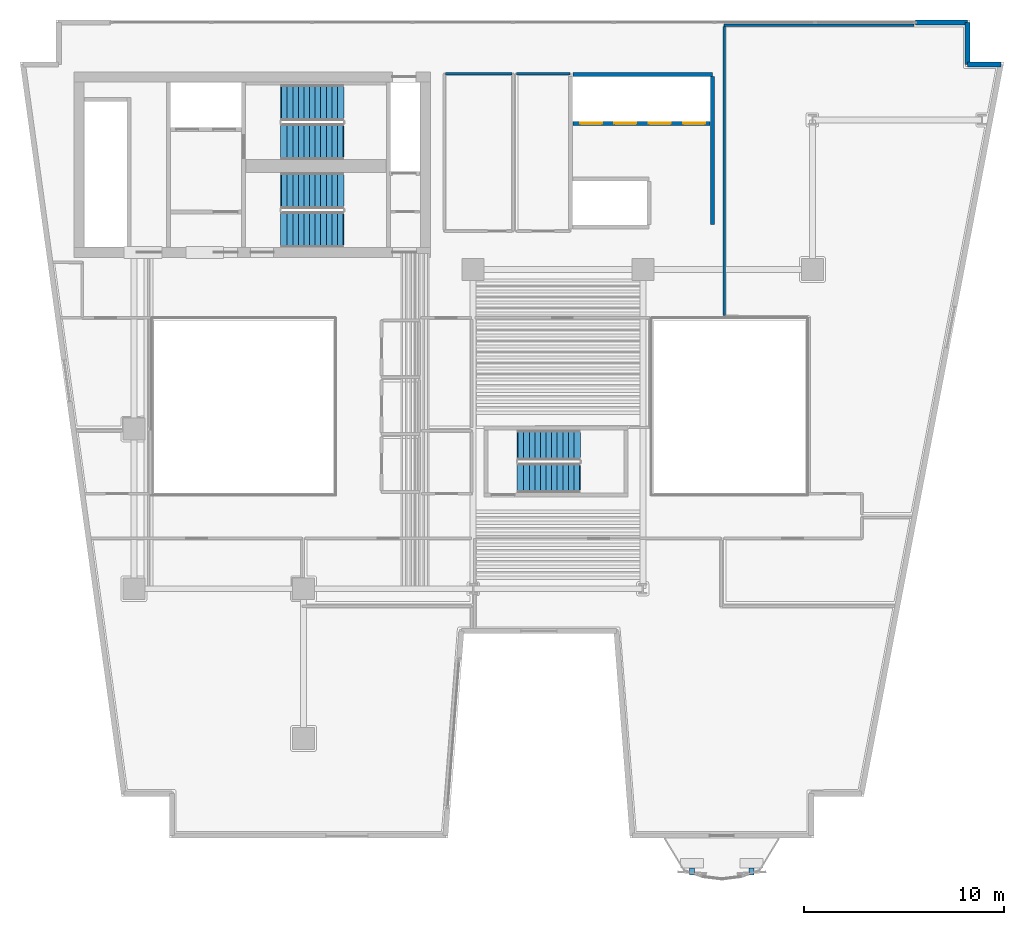
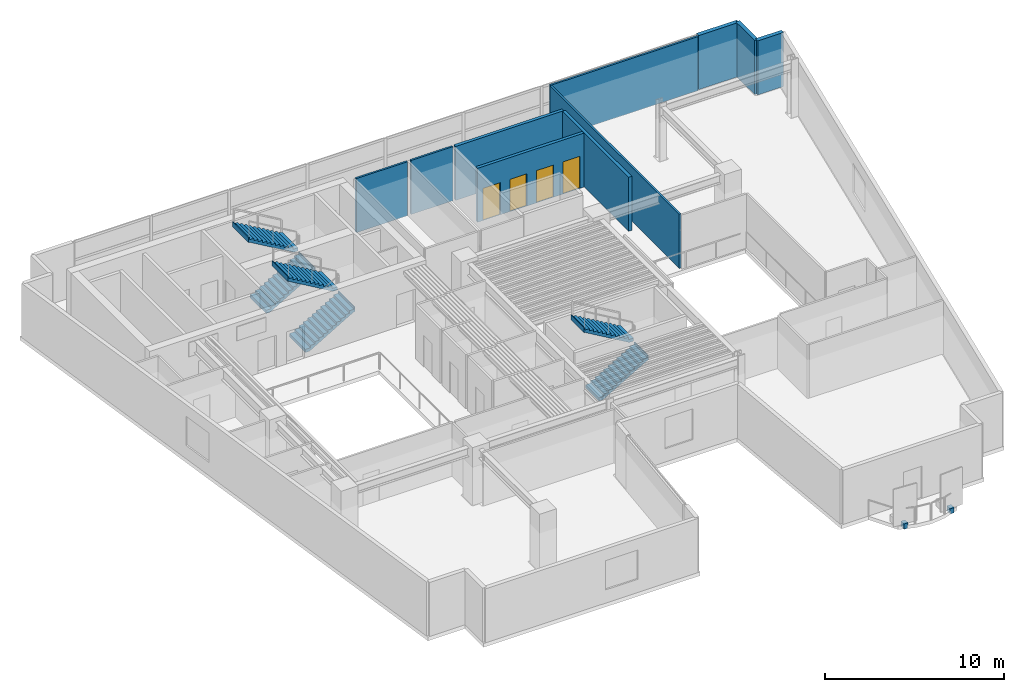
# One storey, part 8 of 12: 10 walls, 6 stair flights, 4 doors, 2 discrete accessories, 4 openings, 3 elements without a shape of their own.
"""IFC4 building model written with IfcOpenShell, lengths in metres."""

from ifc_helpers import new_model, si_unit, direction, frame, frame_2d, origin, origin_2d, place, context, subcontext, project, spatial, polyline, rectangle, outline, extrude, material, layer, layer_set, type_object, element, fill, aggregate, save


model = new_model("IFC4")

# Units and contexts
model_context = context("Model", 3, precision=1e-05, world=origin(), true_north=direction((0.0, 1.0)))
body_context = subcontext(model_context, "Body", "Model", "MODEL_VIEW")
ifc_project = project(units=[si_unit("LENGTHUNIT", "METRE"), si_unit("AREAUNIT", "SQUARE_METRE"), si_unit("VOLUMEUNIT", "CUBIC_METRE"), si_unit("PLANEANGLEUNIT", "RADIAN"), si_unit("MASSUNIT", "GRAM", prefix="KILO")], contexts=[model_context])

# Site, building, storey
site_placement = place(None, origin())
site = spatial("IfcSite", under=ifc_project, at=site_placement, CompositionType="ELEMENT")
building_placement = place(site_placement, origin())
building = spatial("IfcBuilding", under=site, at=building_placement, Name="Caeloran Harvest Quay", CompositionType="ELEMENT")
storey_placement = place(building_placement, frame((0.0, 0.0, 115.35009765625)))
storey = spatial("IfcBuildingStorey", under=building, at=storey_placement, Name="L26", CompositionType="ELEMENT", Elevation=115.35009765625)

# Walls
ifc_material_1 = material(Name="Precast concrete C50/60", Category="concrete")
ifc_layer_1 = layer(ifc_material_1, 0.260009765625, Name="Precast concrete C50/60")
ifc_layer_set_1 = layer_set([ifc_layer_1], Name="Precast concrete C50/60")
wall_type_1 = type_object("IfcWallType", Name="ENV-WALL-EW-260", PredefinedType="STANDARD", material=ifc_layer_set_1)
wall_1_placement = place(storey_placement, frame((47.669921875, 43.3701171875, 0.0), z_axis=(0.0, 0.0, 1.0), x_axis=(1.0, 0.0, 0.0)))
element("IfcWall", 1, at=wall_1_placement, inside=storey, type_object=wall_type_1, Name="L26 Exterior Facade Corner Pier Wall 6B", PredefinedType="STANDARD", context=body_context, shape_type="SweptSolid", body=[
    extrude(rectangle(XDim=2.60009765625, YDim=0.260009765625, at=frame_2d((1.300048828125, 0.0))), origin(), (0.0, 0.0, 1.0), 3.68994140625),
])
wall_2_placement = place(storey_placement, frame((50.27001953125, 43.3701171875, 0.0), z_axis=(0.0, 0.0, 1.0), x_axis=(0.0, -1.0, 0.0)))
element("IfcWall", 2, at=wall_2_placement, inside=storey, type_object=wall_type_1, Name="L26 Exterior Precast Concrete Facade Wall 7", PredefinedType="STANDARD", context=body_context, shape_type="SweptSolid", body=[
    extrude(rectangle(XDim=2.10009765625, YDim=0.260009765625, at=frame_2d((1.050048828125, 0.0))), origin(), (0.0, 0.0, 1.0), 3.68994140625),
])
wall_3_placement = place(storey_placement, frame((50.27001953125, 41.27001953125, 0.0), z_axis=(0.0, 0.0, 1.0), x_axis=(1.0, 0.0, 0.0)))
element("IfcWall", 3, at=wall_3_placement, inside=storey, type_object=wall_type_1, Name="L26 Exterior Precast Concrete Facade Wall 8", PredefinedType="STANDARD", context=body_context, shape_type="SweptSolid", body=[
    extrude(rectangle(XDim=1.671875, YDim=0.260009765625, at=frame_2d((0.8359375, 0.0))), origin(), (0.0, 0.0, 1.0), 3.68994140625),
])
ifc_material_2 = material(Name="Twin-Stud Mineral-Wool Acoustic Gypsum Partition", Category="gypsum")
ifc_layer_2 = layer(ifc_material_2, 0.125, Name="Twin-Stud Mineral-Wool Acoustic Gypsum Partition")
ifc_layer_set_2 = layer_set([ifc_layer_2], Name="Twin-Stud Mineral-Wool Acoustic Gypsum Partition")
wall_type_2 = type_object("IfcWallType", Name="INT-WALL-PW-125", PredefinedType="PARTITIONING", material=ifc_layer_set_2)
wall_4_placement = place(storey_placement, frame((24.117431640625, 40.800048828125, 0.0), z_axis=(0.0, 0.0, 1.0), x_axis=(1.0, 0.0, 0.0)))
element("IfcWall", 4, at=wall_4_placement, inside=storey, type_object=wall_type_2, Name="L26 Bioinformatics Briefing Lounge Partition Wall", PredefinedType="PARTITIONING", context=body_context, shape_type="SweptSolid", body=[
    extrude(rectangle(XDim=3.315185546875, YDim=0.125, at=frame_2d((1.65771484375, 0.0))), origin(), (0.0, 0.0, 1.0), 3.68994140625),
])
wall_5_placement = place(storey_placement, frame((27.659912109375, 40.800048828125, 0.0), z_axis=(0.0, 0.0, 1.0), x_axis=(1.0, 0.0, 0.0)))
element("IfcWall", 5, at=wall_5_placement, inside=storey, type_object=wall_type_2, Name="L26 Seed Imaging Laboratory Partition Wall", PredefinedType="PARTITIONING", context=body_context, shape_type="SweptSolid", body=[
    extrude(rectangle(XDim=2.690185546875, YDim=0.125, at=frame_2d((1.34521484375, 0.0))), origin(), (0.0, 0.0, 1.0), 3.68994140625),
])
wall_6_placement = place(storey_placement, frame((38.080078125, 43.239990234375, 0.0), z_axis=(0.0, 0.0, 1.0), x_axis=(1.0, 0.0, 0.0)))
element("IfcWall", 6, at=wall_6_placement, inside=storey, type_object=wall_type_2, Name="Phenotyping Sensor Laboratory 10 Partition Wall", PredefinedType="PARTITIONING", context=body_context, shape_type="SweptSolid", body=[
    extrude(rectangle(XDim=9.515380859375, YDim=0.125, at=frame_2d((4.7578125, 0.0))), origin(), (0.0, 0.0, 1.0), 3.68994140625),
])
wall_7_placement = place(storey_placement, frame((38.080078125, 28.697509765625, 0.0), z_axis=(0.0, 0.0, 1.0), x_axis=(0.0, 1.0, 0.0)))
element("IfcWall", 7, at=wall_7_placement, inside=storey, type_object=wall_type_2, Name="Phenotyping Sensor Laboratory 10 Partition Wall", PredefinedType="PARTITIONING", context=body_context, shape_type="SweptSolid", body=[
    extrude(rectangle(XDim=14.47509765625, YDim=0.125, at=frame_2d((7.237548828125, 0.0))), origin(), (0.0, 0.0, 1.0), 3.68994140625),
])
ifc_material_3 = material(Name="Concrete C50/60", Category="concrete")
ifc_layer_3 = layer(ifc_material_3, 0.199951171875, Name="Concrete C50/60")
ifc_layer_set_3 = layer_set([ifc_layer_3], Name="Concrete C50/60")
wall_type_3 = type_object("IfcWallType", Name="INT-WALL-SW-200", PredefinedType="PARTITIONING", material=ifc_layer_set_3)
wall_8_placement = place(storey_placement, frame((30.5, 40.780029296875, 0.0), z_axis=(0.0, 0.0, 1.0), x_axis=(1.0, 0.0, 0.0)))
element("IfcWall", 8, at=wall_8_placement, inside=storey, type_object=wall_type_3, Name="L26 Bank 2 Lift Shaft North Wall", PredefinedType="PARTITIONING", context=body_context, shape_type="SweptSolid", body=[
    extrude(rectangle(XDim=6.97998046875, YDim=0.199951171875, at=frame_2d((3.489990234375, 0.0))), origin(), (0.0, 0.0, 1.0), 3.68994140625),
])
wall_9_placement = place(storey_placement, frame((37.47998046875, 33.239990234375, 0.0), z_axis=(0.0, 0.0, 1.0), x_axis=(0.0, 1.0, 0.0)))
element("IfcWall", 9, at=wall_9_placement, inside=storey, type_object=wall_type_3, Name="L26 Bank 2 Lift Shaft East Wall", PredefinedType="PARTITIONING", context=body_context, shape_type="SweptSolid", body=[
    extrude(rectangle(XDim=7.419921875, YDim=0.199951171875, at=frame_2d((3.7099609375, 0.0))), origin(), (0.0, 0.0, 1.0), 3.68994140625),
])

# Wall, openings, doors
wall_10_placement = place(storey_placement, frame((30.5, 38.320068359375, 0.0), z_axis=(0.0, 0.0, 1.0), x_axis=(1.0, 0.0, 0.0)))
wall_10 = element("IfcWall", 10, at=wall_10_placement, inside=storey, type_object=wall_type_3, Name="L26 Bank 2 Lift Landing Front Wall", PredefinedType="PARTITIONING", context=body_context, shape_type="SweptSolid", body=[
    extrude(rectangle(XDim=6.860107421875, YDim=0.199951171875, at=frame_2d((3.43017578125, 0.0))), origin(), (0.0, 0.0, 1.0), 3.68994140625),
])
opening_1_placement = place(wall_10_placement, frame((0.360107421875, 0.0, 0.0)))
opening_1 = element("IfcOpeningElement", 11, at=opening_1_placement, cuts=wall_10, Name="Opening LD-01", PredefinedType="OPENING", context=body_context, shape_type="SweptSolid", body=[
    extrude(rectangle(XDim=1.10009765625, YDim=2.199951171875, at=frame_2d((0.550048828125, 1.10009765625))), frame((0.0, 0.10986328125, 0.0), z_axis=(0.0, -1.0, 0.0), x_axis=(1.0, 0.0, 0.0)), (0.0, 0.0, 1.0), 0.219970703125),
])
opening_2_placement = place(wall_10_placement, frame((2.080078125, 0.0, 0.0)))
opening_2 = element("IfcOpeningElement", 12, at=opening_2_placement, cuts=wall_10, Name="Opening LD-01", PredefinedType="OPENING", context=body_context, shape_type="SweptSolid", body=[
    extrude(rectangle(XDim=1.10009765625, YDim=2.199951171875, at=frame_2d((0.550048828125, 1.10009765625))), frame((0.0, 0.10986328125, 0.0), z_axis=(0.0, -1.0, 0.0), x_axis=(1.0, 0.0, 0.0)), (0.0, 0.0, 1.0), 0.219970703125),
])
opening_3_placement = place(wall_10_placement, frame((3.800048828125, 0.0, 0.0)))
opening_3 = element("IfcOpeningElement", 13, at=opening_3_placement, cuts=wall_10, Name="Opening LD-01", PredefinedType="OPENING", context=body_context, shape_type="SweptSolid", body=[
    extrude(rectangle(XDim=1.10009765625, YDim=2.199951171875, at=frame_2d((0.550048828125, 1.10009765625))), frame((0.0, 0.10986328125, 0.0), z_axis=(0.0, -1.0, 0.0), x_axis=(1.0, 0.0, 0.0)), (0.0, 0.0, 1.0), 0.219970703125),
])
opening_4_placement = place(wall_10_placement, frame((5.52001953125, 0.0, 0.0)))
opening_4 = element("IfcOpeningElement", 14, at=opening_4_placement, cuts=wall_10, Name="Opening LD-01", PredefinedType="OPENING", context=body_context, shape_type="SweptSolid", body=[
    extrude(rectangle(XDim=1.10009765625, YDim=2.199951171875, at=frame_2d((0.550048828125, 1.10009765625))), frame((0.0, 0.10986328125, 0.0), z_axis=(0.0, -1.0, 0.0), x_axis=(1.0, 0.0, 0.0)), (0.0, 0.0, 1.0), 0.219970703125),
])
ifc_material_4 = material(Name="Stainless Steel Grade 316", Category="steel")
door_type = type_object("IfcDoorType", Name="INTDOOR-LD-01", OperationType="NOTDEFINED", PredefinedType="DOOR", material=ifc_material_4)
door_1_placement = place(opening_1_placement, origin())
door_1 = element("IfcDoor", 15, at=door_1_placement, inside=storey, type_object=door_type, Name="Lift P2-1 Sliding Landing Door (L26)", OperationType="DOUBLE_DOOR_SLIDING", OverallHeight=2.199951171875, OverallWidth=1.10009765625, PredefinedType="DOOR", context=body_context, shape_type="SweptSolid", body=[
    extrude(rectangle(XDim=1.10009765625, YDim=2.199951171875, at=frame_2d((0.550048828125, 1.10009765625))), frame((0.0, 0.02490234375, 0.0), z_axis=(0.0, -1.0, 0.0), x_axis=(1.0, 0.0, 0.0)), (0.0, 0.0, 1.0), 0.050048828125),
])
fill(opening_1, door_1)
door_2_placement = place(opening_2_placement, origin())
door_2 = element("IfcDoor", 16, at=door_2_placement, inside=storey, type_object=door_type, Name="Lift P2-2 Sliding Landing Door (L26)", OperationType="DOUBLE_DOOR_SLIDING", OverallHeight=2.199951171875, OverallWidth=1.10009765625, PredefinedType="DOOR", context=body_context, shape_type="SweptSolid", body=[
    extrude(rectangle(XDim=1.10009765625, YDim=2.199951171875, at=frame_2d((0.550048828125, 1.10009765625))), frame((0.0, 0.02490234375, 0.0), z_axis=(0.0, -1.0, 0.0), x_axis=(1.0, 0.0, 0.0)), (0.0, 0.0, 1.0), 0.050048828125),
])
fill(opening_2, door_2)
door_3_placement = place(opening_3_placement, origin())
door_3 = element("IfcDoor", 17, at=door_3_placement, inside=storey, type_object=door_type, Name="Lift P2-3 Sliding Landing Door (L26)", OperationType="DOUBLE_DOOR_SLIDING", OverallHeight=2.199951171875, OverallWidth=1.10009765625, PredefinedType="DOOR", context=body_context, shape_type="SweptSolid", body=[
    extrude(rectangle(XDim=1.10009765625, YDim=2.199951171875, at=frame_2d((0.550048828125, 1.10009765625))), frame((0.0, 0.02490234375, 0.0), z_axis=(0.0, -1.0, 0.0), x_axis=(1.0, 0.0, 0.0)), (0.0, 0.0, 1.0), 0.050048828125),
])
fill(opening_3, door_3)
door_4_placement = place(opening_4_placement, origin())
door_4 = element("IfcDoor", 18, at=door_4_placement, inside=storey, type_object=door_type, Name="Lift P2-4 Sliding Landing Door (L26)", OperationType="DOUBLE_DOOR_SLIDING", OverallHeight=2.199951171875, OverallWidth=1.10009765625, PredefinedType="DOOR", context=body_context, shape_type="SweptSolid", body=[
    extrude(rectangle(XDim=1.10009765625, YDim=2.199951171875, at=frame_2d((0.550048828125, 1.10009765625))), frame((0.0, 0.02490234375, 0.0), z_axis=(0.0, -1.0, 0.0), x_axis=(1.0, 0.0, 0.0)), (0.0, 0.0, 1.0), 0.050048828125),
])
fill(opening_4, door_4)

# Stair, stair flights
stair_type_1 = type_object("IfcStairType", Name="STAIR-STC-180", PredefinedType="HALF_TURN_STAIR", material=ifc_material_3)
stair_1_placement = place(storey_placement, origin())
stair_1 = element("IfcStair", 19, at=stair_1_placement, inside=storey, type_object=stair_type_1, Name="L26 Core Pressurized Exit Stair ST-C1", PredefinedType="HALF_TURN_STAIR")
stair_flight_type_1 = type_object("IfcStairFlightType", Name="FLIGHT-STC-180", PredefinedType="STRAIGHT", material=ifc_material_3)
stair_flight_1_placement = place(storey_placement, frame((15.89990234375, 37.39990234375, 0.0), z_axis=(0.0, 0.0, 1.0), x_axis=(1.0, 0.0, 0.0)))
stair_flight_1 = element("IfcStairFlight", 20, at=stair_flight_1_placement, type_object=stair_flight_type_1, Name="ST-C1 flight 1", NumberOfRisers=12, NumberOfTreads=11, PredefinedType="STRAIGHT", RiserHeight=0.164583333, TreadLength=0.28, context=body_context, shape_type="SweptSolid", body=[
    extrude(outline(polyline([(-0.054931640625, -0.044921875), (-0.054931640625, -0.031982421875), (-0.054931640625, -0.018798828125), (-0.054931640625, -0.005615234375), (-0.054931640625, 0.00732421875), (-0.054931640625, 0.0205078125), (-0.054931640625, 0.03369140625), (-0.054931640625, 0.046630859375), (-0.054931640625, 0.059814453125), (-0.054931640625, 0.072998046875), (-0.054931640625, 0.0859375), (-0.054931640625, 0.09912109375), (-0.054931640625, 0.1123046875), (-0.054931640625, 0.125244140625), (-0.054931640625, 0.138427734375), (-0.054931640625, 0.1513671875), (-0.054931640625, 0.16455078125), (0.280029296875, 0.16455078125), (0.280029296875, 0.3291015625), (0.56005859375, 0.3291015625), (0.56005859375, 0.49365234375), (0.840087890625, 0.49365234375), (0.840087890625, 0.658447265625), (1.1201171875, 0.658447265625), (1.1201171875, 0.822998046875), (1.39990234375, 0.822998046875), (1.39990234375, 0.987548828125), (1.679931640625, 0.987548828125), (1.679931640625, 1.152099609375), (1.9599609375, 1.152099609375), (1.9599609375, 1.316650390625), (2.239990234375, 1.316650390625), (2.239990234375, 1.481201171875), (2.52001953125, 1.481201171875), (2.52001953125, 1.645751953125), (2.800048828125, 1.645751953125), (2.800048828125, 1.810302734375), (3.080078125, 1.810302734375), (3.080078125, 1.97509765625), (3.135009765625, 1.97509765625), (3.135009765625, 1.953857421875), (3.135009765625, 1.9326171875), (3.135009765625, 1.91162109375), (3.135009765625, 1.890380859375), (3.135009765625, 1.869140625), (3.135009765625, 1.84814453125), (3.135009765625, 1.826904296875), (3.135009765625, 1.8056640625), (3.135009765625, 1.78466796875), (3.135009765625, 1.763427734375), (3.135009765625, 1.7421875), (3.135009765625, 1.72119140625), (3.135009765625, 1.699951171875), (3.135009765625, 1.678955078125), (3.135009765625, 1.65771484375), (3.135009765625, 1.636474609375), (3.080078125, 1.636474609375), (0.21923828125, -0.044921875), (-0.054931640625, -0.044921875)])), frame((0.0, 0.89990234375, 0.0), z_axis=(0.0, -1.0, 0.0), x_axis=(1.0, 0.0, 0.0)), (0.0, 0.0, 1.0), 1.800048828125),
])
stair_flight_2_placement = place(storey_placement, frame((18.97998046875, 39.35009765625, 1.974853515625), z_axis=(0.0, 0.0, 1.0), x_axis=(-1.0, 0.0, 0.0)))
stair_flight_2 = element("IfcStairFlight", 21, at=stair_flight_2_placement, type_object=stair_flight_type_1, Name="ST-C1 flight 2", NumberOfRisers=12, NumberOfTreads=11, PredefinedType="STRAIGHT", RiserHeight=0.164583333, TreadLength=0.28, context=body_context, shape_type="SweptSolid", body=[
    extrude(outline(polyline([(-0.054931640625, -0.044921875), (-0.054931640625, -0.031982421875), (-0.054931640625, -0.018798828125), (-0.054931640625, -0.005615234375), (-0.054931640625, 0.00732421875), (-0.054931640625, 0.0205078125), (-0.054931640625, 0.03369140625), (-0.054931640625, 0.046630859375), (-0.054931640625, 0.059814453125), (-0.054931640625, 0.072998046875), (-0.054931640625, 0.0859375), (-0.054931640625, 0.09912109375), (-0.054931640625, 0.1123046875), (-0.054931640625, 0.125244140625), (-0.054931640625, 0.138427734375), (-0.054931640625, 0.1513671875), (-0.054931640625, 0.16455078125), (0.280029296875, 0.16455078125), (0.280029296875, 0.3291015625), (0.56005859375, 0.3291015625), (0.56005859375, 0.49365234375), (0.840087890625, 0.49365234375), (0.840087890625, 0.658447265625), (1.1201171875, 0.658447265625), (1.1201171875, 0.822998046875), (1.39990234375, 0.822998046875), (1.39990234375, 0.987548828125), (1.679931640625, 0.987548828125), (1.679931640625, 1.152099609375), (1.9599609375, 1.152099609375), (1.9599609375, 1.316650390625), (2.239990234375, 1.316650390625), (2.239990234375, 1.481201171875), (2.52001953125, 1.481201171875), (2.52001953125, 1.645751953125), (2.800048828125, 1.645751953125), (2.800048828125, 1.810302734375), (3.080078125, 1.810302734375), (3.080078125, 1.97509765625), (3.135009765625, 1.97509765625), (3.135009765625, 1.953857421875), (3.135009765625, 1.9326171875), (3.135009765625, 1.91162109375), (3.135009765625, 1.890380859375), (3.135009765625, 1.869140625), (3.135009765625, 1.84814453125), (3.135009765625, 1.826904296875), (3.135009765625, 1.8056640625), (3.135009765625, 1.78466796875), (3.135009765625, 1.763427734375), (3.135009765625, 1.7421875), (3.135009765625, 1.72119140625), (3.135009765625, 1.699951171875), (3.135009765625, 1.678955078125), (3.135009765625, 1.65771484375), (3.135009765625, 1.636474609375), (3.080078125, 1.636474609375), (0.21923828125, -0.044921875), (-0.054931640625, -0.044921875)])), frame((0.0, 0.89990234375, 0.0), z_axis=(0.0, -1.0, 0.0), x_axis=(1.0, 0.0, 0.0)), (0.0, 0.0, 1.0), 1.800048828125),
])
aggregate(stair_1, [stair_flight_1, stair_flight_2])

stair_2_placement = place(storey_placement, origin())
stair_2 = element("IfcStair", 22, at=stair_2_placement, inside=storey, type_object=stair_type_1, Name="L26 Core Pressurized Exit Stair ST-C2", PredefinedType="HALF_TURN_STAIR")
stair_flight_3_placement = place(storey_placement, frame((15.89990234375, 33.0, 0.0), z_axis=(0.0, 0.0, 1.0), x_axis=(1.0, 0.0, 0.0)))
stair_flight_3 = element("IfcStairFlight", 23, at=stair_flight_3_placement, type_object=stair_flight_type_1, Name="ST-C2 flight 1", NumberOfRisers=12, NumberOfTreads=11, PredefinedType="STRAIGHT", RiserHeight=0.164583333, TreadLength=0.28, context=body_context, shape_type="SweptSolid", body=[
    extrude(outline(polyline([(-0.054931640625, -0.044921875), (-0.054931640625, -0.031982421875), (-0.054931640625, -0.018798828125), (-0.054931640625, -0.005615234375), (-0.054931640625, 0.00732421875), (-0.054931640625, 0.0205078125), (-0.054931640625, 0.03369140625), (-0.054931640625, 0.046630859375), (-0.054931640625, 0.059814453125), (-0.054931640625, 0.072998046875), (-0.054931640625, 0.0859375), (-0.054931640625, 0.09912109375), (-0.054931640625, 0.1123046875), (-0.054931640625, 0.125244140625), (-0.054931640625, 0.138427734375), (-0.054931640625, 0.1513671875), (-0.054931640625, 0.16455078125), (0.280029296875, 0.16455078125), (0.280029296875, 0.3291015625), (0.56005859375, 0.3291015625), (0.56005859375, 0.49365234375), (0.840087890625, 0.49365234375), (0.840087890625, 0.658447265625), (1.1201171875, 0.658447265625), (1.1201171875, 0.822998046875), (1.39990234375, 0.822998046875), (1.39990234375, 0.987548828125), (1.679931640625, 0.987548828125), (1.679931640625, 1.152099609375), (1.9599609375, 1.152099609375), (1.9599609375, 1.316650390625), (2.239990234375, 1.316650390625), (2.239990234375, 1.481201171875), (2.52001953125, 1.481201171875), (2.52001953125, 1.645751953125), (2.800048828125, 1.645751953125), (2.800048828125, 1.810302734375), (3.080078125, 1.810302734375), (3.080078125, 1.97509765625), (3.135009765625, 1.97509765625), (3.135009765625, 1.953857421875), (3.135009765625, 1.9326171875), (3.135009765625, 1.91162109375), (3.135009765625, 1.890380859375), (3.135009765625, 1.869140625), (3.135009765625, 1.84814453125), (3.135009765625, 1.826904296875), (3.135009765625, 1.8056640625), (3.135009765625, 1.78466796875), (3.135009765625, 1.763427734375), (3.135009765625, 1.7421875), (3.135009765625, 1.72119140625), (3.135009765625, 1.699951171875), (3.135009765625, 1.678955078125), (3.135009765625, 1.65771484375), (3.135009765625, 1.636474609375), (3.080078125, 1.636474609375), (0.21923828125, -0.044921875), (-0.054931640625, -0.044921875)])), frame((0.0, 0.89990234375, 0.0), z_axis=(0.0, -1.0, 0.0), x_axis=(1.0, 0.0, 0.0)), (0.0, 0.0, 1.0), 1.800048828125),
])
stair_flight_4_placement = place(storey_placement, frame((18.97998046875, 34.949951171875, 1.974853515625), z_axis=(0.0, 0.0, 1.0), x_axis=(-1.0, 0.0, 0.0)))
stair_flight_4 = element("IfcStairFlight", 24, at=stair_flight_4_placement, type_object=stair_flight_type_1, Name="ST-C2 flight 2", NumberOfRisers=12, NumberOfTreads=11, PredefinedType="STRAIGHT", RiserHeight=0.164583333, TreadLength=0.28, context=body_context, shape_type="SweptSolid", body=[
    extrude(outline(polyline([(-0.054931640625, -0.044921875), (-0.054931640625, -0.031982421875), (-0.054931640625, -0.018798828125), (-0.054931640625, -0.005615234375), (-0.054931640625, 0.00732421875), (-0.054931640625, 0.0205078125), (-0.054931640625, 0.03369140625), (-0.054931640625, 0.046630859375), (-0.054931640625, 0.059814453125), (-0.054931640625, 0.072998046875), (-0.054931640625, 0.0859375), (-0.054931640625, 0.09912109375), (-0.054931640625, 0.1123046875), (-0.054931640625, 0.125244140625), (-0.054931640625, 0.138427734375), (-0.054931640625, 0.1513671875), (-0.054931640625, 0.16455078125), (0.280029296875, 0.16455078125), (0.280029296875, 0.3291015625), (0.56005859375, 0.3291015625), (0.56005859375, 0.49365234375), (0.840087890625, 0.49365234375), (0.840087890625, 0.658447265625), (1.1201171875, 0.658447265625), (1.1201171875, 0.822998046875), (1.39990234375, 0.822998046875), (1.39990234375, 0.987548828125), (1.679931640625, 0.987548828125), (1.679931640625, 1.152099609375), (1.9599609375, 1.152099609375), (1.9599609375, 1.316650390625), (2.239990234375, 1.316650390625), (2.239990234375, 1.481201171875), (2.52001953125, 1.481201171875), (2.52001953125, 1.645751953125), (2.800048828125, 1.645751953125), (2.800048828125, 1.810302734375), (3.080078125, 1.810302734375), (3.080078125, 1.97509765625), (3.135009765625, 1.97509765625), (3.135009765625, 1.953857421875), (3.135009765625, 1.9326171875), (3.135009765625, 1.91162109375), (3.135009765625, 1.890380859375), (3.135009765625, 1.869140625), (3.135009765625, 1.84814453125), (3.135009765625, 1.826904296875), (3.135009765625, 1.8056640625), (3.135009765625, 1.78466796875), (3.135009765625, 1.763427734375), (3.135009765625, 1.7421875), (3.135009765625, 1.72119140625), (3.135009765625, 1.699951171875), (3.135009765625, 1.678955078125), (3.135009765625, 1.65771484375), (3.135009765625, 1.636474609375), (3.080078125, 1.636474609375), (0.21923828125, -0.044921875), (-0.054931640625, -0.044921875)])), frame((0.0, 0.89990234375, 0.0), z_axis=(0.0, -1.0, 0.0), x_axis=(1.0, 0.0, 0.0)), (0.0, 0.0, 1.0), 1.800048828125),
])
aggregate(stair_2, [stair_flight_3, stair_flight_4])

stair_type_2 = type_object("IfcStairType", Name="STAIR-STW-150", PredefinedType="HALF_TURN_STAIR", material=ifc_material_3)
stair_3_placement = place(storey_placement, origin())
stair_3 = element("IfcStair", 25, at=stair_3_placement, inside=storey, type_object=stair_type_2, Name="L26 East Wing Protected Exit Stair ST-W1", PredefinedType="HALF_TURN_STAIR")
stair_flight_type_2 = type_object("IfcStairFlightType", Name="FLIGHT-STW-150", PredefinedType="STRAIGHT", material=ifc_material_3)
stair_flight_5_placement = place(storey_placement, frame((27.75, 20.550048828125, 0.0), z_axis=(0.0, 0.0, 1.0), x_axis=(1.0, 0.0, 0.0)))
stair_flight_5 = element("IfcStairFlight", 26, at=stair_flight_5_placement, type_object=stair_flight_type_2, Name="ST-W1 flight 1", NumberOfRisers=12, NumberOfTreads=11, PredefinedType="STRAIGHT", RiserHeight=0.164583333, TreadLength=0.28, context=body_context, shape_type="SweptSolid", body=[
    extrude(outline(polyline([(-0.054931640625, -0.044921875), (-0.054931640625, -0.031982421875), (-0.054931640625, -0.018798828125), (-0.054931640625, -0.005615234375), (-0.054931640625, 0.00732421875), (-0.054931640625, 0.0205078125), (-0.054931640625, 0.03369140625), (-0.054931640625, 0.046630859375), (-0.054931640625, 0.059814453125), (-0.054931640625, 0.072998046875), (-0.054931640625, 0.0859375), (-0.054931640625, 0.09912109375), (-0.054931640625, 0.1123046875), (-0.054931640625, 0.125244140625), (-0.054931640625, 0.138427734375), (-0.054931640625, 0.1513671875), (-0.054931640625, 0.16455078125), (0.280029296875, 0.16455078125), (0.280029296875, 0.3291015625), (0.56005859375, 0.3291015625), (0.56005859375, 0.49365234375), (0.840087890625, 0.49365234375), (0.840087890625, 0.658447265625), (1.1201171875, 0.658447265625), (1.1201171875, 0.822998046875), (1.39990234375, 0.822998046875), (1.39990234375, 0.987548828125), (1.679931640625, 0.987548828125), (1.679931640625, 1.152099609375), (1.9599609375, 1.152099609375), (1.9599609375, 1.316650390625), (2.239990234375, 1.316650390625), (2.239990234375, 1.481201171875), (2.52001953125, 1.481201171875), (2.52001953125, 1.645751953125), (2.800048828125, 1.645751953125), (2.800048828125, 1.810302734375), (3.080078125, 1.810302734375), (3.080078125, 1.97509765625), (3.135009765625, 1.97509765625), (3.135009765625, 1.953857421875), (3.135009765625, 1.9326171875), (3.135009765625, 1.91162109375), (3.135009765625, 1.890380859375), (3.135009765625, 1.869140625), (3.135009765625, 1.84814453125), (3.135009765625, 1.826904296875), (3.135009765625, 1.8056640625), (3.135009765625, 1.78466796875), (3.135009765625, 1.763427734375), (3.135009765625, 1.7421875), (3.135009765625, 1.72119140625), (3.135009765625, 1.699951171875), (3.135009765625, 1.678955078125), (3.135009765625, 1.65771484375), (3.135009765625, 1.636474609375), (3.080078125, 1.636474609375), (0.21923828125, -0.044921875), (-0.054931640625, -0.044921875)])), frame((0.0, 0.75, 0.0), z_axis=(0.0, -1.0, 0.0), x_axis=(1.0, 0.0, 0.0)), (0.0, 0.0, 1.0), 1.5),
])
stair_flight_6_placement = place(storey_placement, frame((30.830078125, 22.199951171875, 1.974853515625), z_axis=(0.0, 0.0, 1.0), x_axis=(-1.0, 0.0, 0.0)))
stair_flight_6 = element("IfcStairFlight", 27, at=stair_flight_6_placement, type_object=stair_flight_type_2, Name="ST-W1 flight 2", NumberOfRisers=12, NumberOfTreads=11, PredefinedType="STRAIGHT", RiserHeight=0.164583333, TreadLength=0.28, context=body_context, shape_type="SweptSolid", body=[
    extrude(outline(polyline([(-0.054931640625, -0.044921875), (-0.054931640625, -0.031982421875), (-0.054931640625, -0.018798828125), (-0.054931640625, -0.005615234375), (-0.054931640625, 0.00732421875), (-0.054931640625, 0.0205078125), (-0.054931640625, 0.03369140625), (-0.054931640625, 0.046630859375), (-0.054931640625, 0.059814453125), (-0.054931640625, 0.072998046875), (-0.054931640625, 0.0859375), (-0.054931640625, 0.09912109375), (-0.054931640625, 0.1123046875), (-0.054931640625, 0.125244140625), (-0.054931640625, 0.138427734375), (-0.054931640625, 0.1513671875), (-0.054931640625, 0.16455078125), (0.280029296875, 0.16455078125), (0.280029296875, 0.3291015625), (0.56005859375, 0.3291015625), (0.56005859375, 0.49365234375), (0.840087890625, 0.49365234375), (0.840087890625, 0.658447265625), (1.1201171875, 0.658447265625), (1.1201171875, 0.822998046875), (1.39990234375, 0.822998046875), (1.39990234375, 0.987548828125), (1.679931640625, 0.987548828125), (1.679931640625, 1.152099609375), (1.9599609375, 1.152099609375), (1.9599609375, 1.316650390625), (2.239990234375, 1.316650390625), (2.239990234375, 1.481201171875), (2.52001953125, 1.481201171875), (2.52001953125, 1.645751953125), (2.800048828125, 1.645751953125), (2.800048828125, 1.810302734375), (3.080078125, 1.810302734375), (3.080078125, 1.97509765625), (3.135009765625, 1.97509765625), (3.135009765625, 1.953857421875), (3.135009765625, 1.9326171875), (3.135009765625, 1.91162109375), (3.135009765625, 1.890380859375), (3.135009765625, 1.869140625), (3.135009765625, 1.84814453125), (3.135009765625, 1.826904296875), (3.135009765625, 1.8056640625), (3.135009765625, 1.78466796875), (3.135009765625, 1.763427734375), (3.135009765625, 1.7421875), (3.135009765625, 1.72119140625), (3.135009765625, 1.699951171875), (3.135009765625, 1.678955078125), (3.135009765625, 1.65771484375), (3.135009765625, 1.636474609375), (3.080078125, 1.636474609375), (0.21923828125, -0.044921875), (-0.054931640625, -0.044921875)])), frame((0.0, 0.75, 0.0), z_axis=(0.0, -1.0, 0.0), x_axis=(1.0, 0.0, 0.0)), (0.0, 0.0, 1.0), 1.5),
])
aggregate(stair_3, [stair_flight_5, stair_flight_6])

# Discrete accessories
ifc_material_5 = material(Name="Stainless Steel Grade 316L", Category="steel")
discrete_accessory_type = type_object("IfcDiscreteAccessoryType", Name="BRACKET-SCREEN-SS", PredefinedType="BRACKET", material=ifc_material_5)
for number, where, z_axis, x_axis, name in (
    (28, (39.44921875, 0.830078125, -0.22021484375), (0.0, 0.0, 1.0), (1.0, 0.0, 0.0), "L26 Balcony Screen Support Bracket 1"),
    (29, (36.4658203125, 0.830078125, -0.22021484375), (0.0, 0.0, 1.0), (1.0, 0.0, 0.0), "L26 Balcony Screen Support Bracket 2"),
):
    element("IfcDiscreteAccessory", number, at=place(storey_placement, frame(where, z_axis=z_axis, x_axis=x_axis)), inside=storey, type_object=discrete_accessory_type, Name=name, PredefinedType="BRACKET", context=body_context, shape_type="SweptSolid", body=[
        extrude(rectangle(XDim=0.260009765625, YDim=0.340087890625, at=origin_2d()), origin(), (0.0, 0.0, 1.0), 0.360107421875),
    ])

save(model, "model.ifc")
